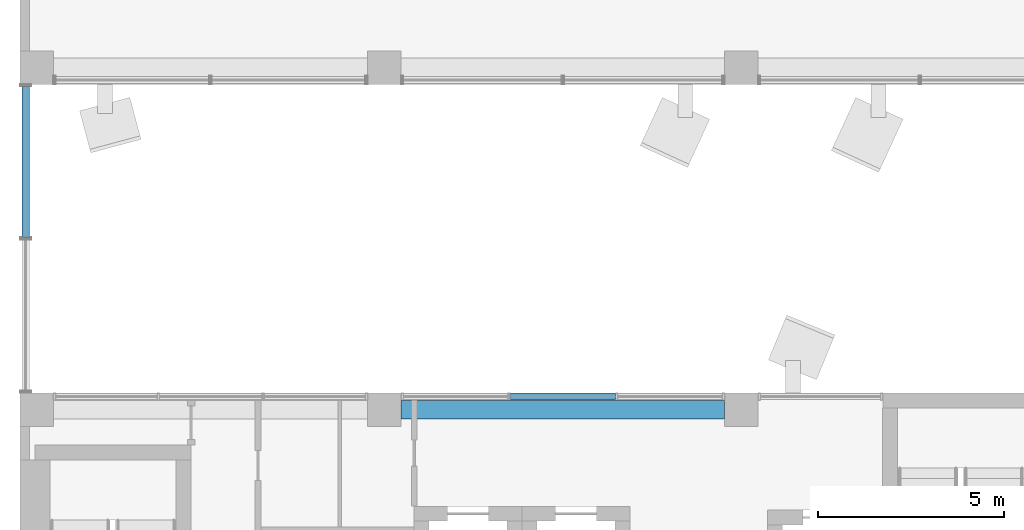
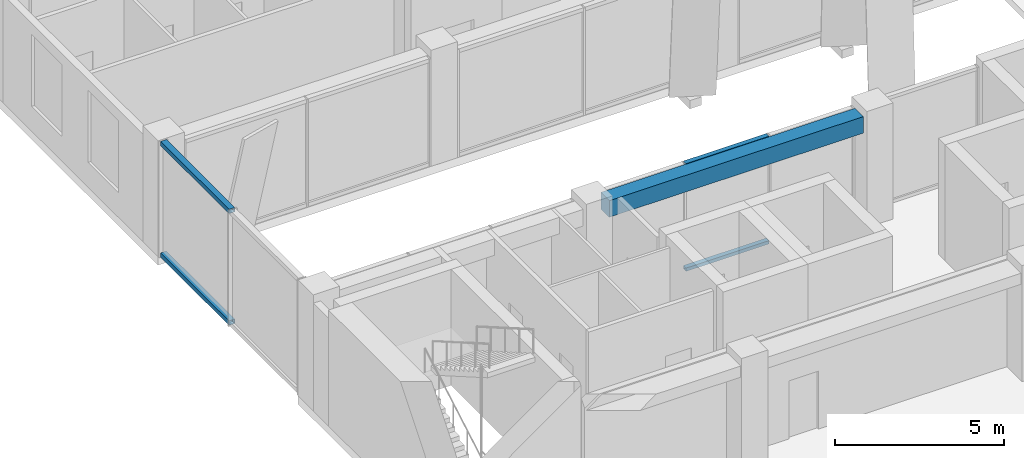
# One storey, part 7 of 38: 4 members, 1 beam, 2 elements without a shape of their own.
"""IFC4 building model written with IfcOpenShell, lengths in metres."""

from ifc_helpers import new_model, si_unit, direction, frame, origin, origin_2d, place, context, subcontext, project, spatial, rectangle, hollow_rectangle, extrude, material, layer, layer_set, material_profile, profile_set, type_object, element, aggregate, save


model = new_model("IFC4")

# Units and contexts
model_context = context("Model", 3, precision=1e-05, world=origin(), true_north=direction((0.0, 1.0)))
body_context = subcontext(model_context, "Body", "Model", "MODEL_VIEW")
ifc_project = project(units=[si_unit("LENGTHUNIT", "METRE"), si_unit("AREAUNIT", "SQUARE_METRE"), si_unit("VOLUMEUNIT", "CUBIC_METRE"), si_unit("PLANEANGLEUNIT", "RADIAN"), si_unit("MASSUNIT", "GRAM", prefix="KILO")], contexts=[model_context])

# Site, building, storey
site_placement = place(None, origin())
site = spatial("IfcSite", under=ifc_project, at=site_placement, CompositionType="ELEMENT")
building_placement = place(site_placement, origin())
building = spatial("IfcBuilding", under=site, at=building_placement, Name="Nzadi Deep Aquarium and Research Tower", CompositionType="ELEMENT")
storey_placement = place(building_placement, frame((0.0, 0.0, 48.699951171875)))
storey = spatial("IfcBuildingStorey", under=building, at=storey_placement, Name="L09", CompositionType="ELEMENT", Elevation=48.699951171875)

# Beam
ifc_material_1 = material(Name="Concrete C35/45", Category="concrete")
ifc_material_profile_1 = material_profile(ifc_material_1, rectangle(XDim=0.5, YDim=0.60009765625, at=origin_2d()))
ifc_profile_set_1 = profile_set([ifc_material_profile_1], Name="Concrete C35/45")
beam_type = type_object("IfcBeamType", Name="RC 500x600", PredefinedType="BEAM", material=ifc_profile_set_1)
beam_placement = place(storey_placement, frame((10.050048828125, 18.39990234375, 3.60009765625), z_axis=(1.0, 0.0, 0.0), x_axis=(0.0, 1.0, 0.0)))
element("IfcBeam", 1, at=beam_placement, inside=storey, type_object=beam_type, Name="B-Z1-L09-L3-2", PredefinedType="BEAM", context=body_context, shape_type="SweptSolid", body=[
    extrude(rectangle(XDim=0.5, YDim=0.60009765625, at=origin_2d()), origin(), (0.0, 0.0, 1.0), 8.699951171875),
])

# Curtain wall, members
ifc_material_2 = material(Name="Aluminium unitised frame", Category="aluminium")
ifc_layer_1 = layer(ifc_material_2, 0.199951171875)
ifc_layer_set_1 = layer_set([ifc_layer_1], Name="Aluminium unitised frame")
curtain_wall_type_1 = type_object("IfcCurtainWallType", Name="Curtain wall Unitised 200", PredefinedType="NOTDEFINED", material=ifc_layer_set_1)
curtain_wall_1_placement = place(storey_placement, origin())
curtain_wall_1 = element("IfcCurtainWall", 2, at=curtain_wall_1_placement, inside=storey, type_object=curtain_wall_type_1, Name="Unitised curtain wall blade A north L09", PredefinedType="NOTDEFINED")
ifc_material_3 = material(Name="Aluminium unitised frame", Category="aluminium")
ifc_material_profile_2 = material_profile(ifc_material_3, hollow_rectangle(XDim=0.159912109375, YDim=0.1201171875, WallThickness=0.0048828125, at=origin_2d()))
ifc_profile_set_2 = profile_set([ifc_material_profile_2], Name="Aluminium unitised frame")
member_type_1 = type_object("IfcMemberType", Name="Transom 120x160 Unitised", PredefinedType="MULLION", material=ifc_profile_set_2)
member_1_placement = place(storey_placement, frame((12.97998046875, 18.75, 0.06005859375), z_axis=(1.0, 0.0, 0.0), x_axis=(0.0, 1.0, 0.0)))
member_1 = element("IfcMember", 3, at=member_1_placement, type_object=member_type_1, Name="CW031 transom 2.1", PredefinedType="MULLION", context=body_context, shape_type="SweptSolid", body=[
    extrude(hollow_rectangle(XDim=0.159912109375, YDim=0.1201171875, WallThickness=0.0048828125, at=origin_2d()), origin(), (0.0, 0.0, 1.0), 2.840087890625),
])
member_2_placement = place(storey_placement, frame((12.97998046875, 18.75, 3.840087890625), z_axis=(1.0, 0.0, 0.0), x_axis=(0.0, 1.0, 0.0)))
member_2 = element("IfcMember", 4, at=member_2_placement, type_object=member_type_1, Name="CW031 transom 2.2", PredefinedType="MULLION", context=body_context, shape_type="SweptSolid", body=[
    extrude(hollow_rectangle(XDim=0.159912109375, YDim=0.1201171875, WallThickness=0.0048828125, at=origin_2d()), origin(), (0.0, 0.0, 1.0), 2.840087890625),
])
aggregate(curtain_wall_1, [member_1, member_2])

ifc_material_4 = material(Name="Aluminium unitised frame wind post", Category="aluminium")
ifc_layer_2 = layer(ifc_material_4, 0.300048828125)
ifc_layer_set_2 = layer_set([ifc_layer_2], Name="Aluminium unitised frame wind post")
curtain_wall_type_2 = type_object("IfcCurtainWallType", Name="Curtain wall Slot End 300", PredefinedType="NOTDEFINED", material=ifc_layer_set_2)
curtain_wall_2_placement = place(storey_placement, origin())
curtain_wall_2 = element("IfcCurtainWall", 5, at=curtain_wall_2_placement, inside=storey, type_object=curtain_wall_type_2, Name="Glazed slot end west L09", PredefinedType="NOTDEFINED")
ifc_material_5 = material(Name="Aluminium unitised frame wind post", Category="aluminium")
ifc_material_profile_3 = material_profile(ifc_material_5, hollow_rectangle(XDim=0.199951171875, YDim=0.159912109375, WallThickness=0.0048828125, at=origin_2d()))
ifc_profile_set_3 = profile_set([ifc_material_profile_3], Name="Aluminium unitised frame wind post")
member_type_2 = type_object("IfcMemberType", Name="Transom 160x200 Slot End", PredefinedType="MULLION", material=ifc_profile_set_3)
member_3_placement = place(storey_placement, frame((-0.050048828125, 23.030029296875, 0.080078125), z_axis=(0.0, 1.0, 0.0), x_axis=(-1.0, 0.0, 0.0)))
member_3 = element("IfcMember", 6, at=member_3_placement, type_object=member_type_2, Name="CW209 transom 2.1", PredefinedType="MULLION", context=body_context, shape_type="SweptSolid", body=[
    extrude(hollow_rectangle(XDim=0.199951171875, YDim=0.159912109375, WallThickness=0.0048828125, at=origin_2d()), origin(), (0.0, 0.0, 1.0), 4.06005859375),
])
member_4_placement = place(storey_placement, frame((-0.050048828125, 23.030029296875, 4.1201171875), z_axis=(0.0, 1.0, 0.0), x_axis=(-1.0, 0.0, 0.0)))
member_4 = element("IfcMember", 7, at=member_4_placement, type_object=member_type_2, Name="CW209 transom 2.2", PredefinedType="MULLION", context=body_context, shape_type="SweptSolid", body=[
    extrude(hollow_rectangle(XDim=0.199951171875, YDim=0.159912109375, WallThickness=0.0048828125, at=origin_2d()), origin(), (0.0, 0.0, 1.0), 4.06005859375),
])
aggregate(curtain_wall_2, [member_3, member_4])

save(model, "model.ifc")
